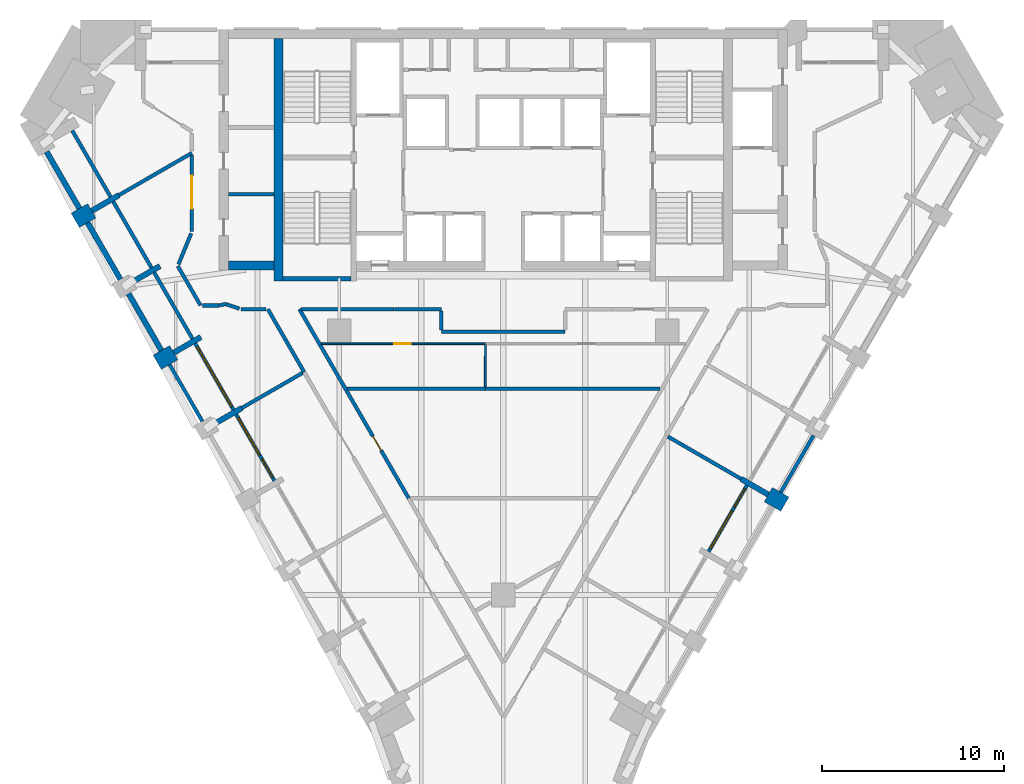
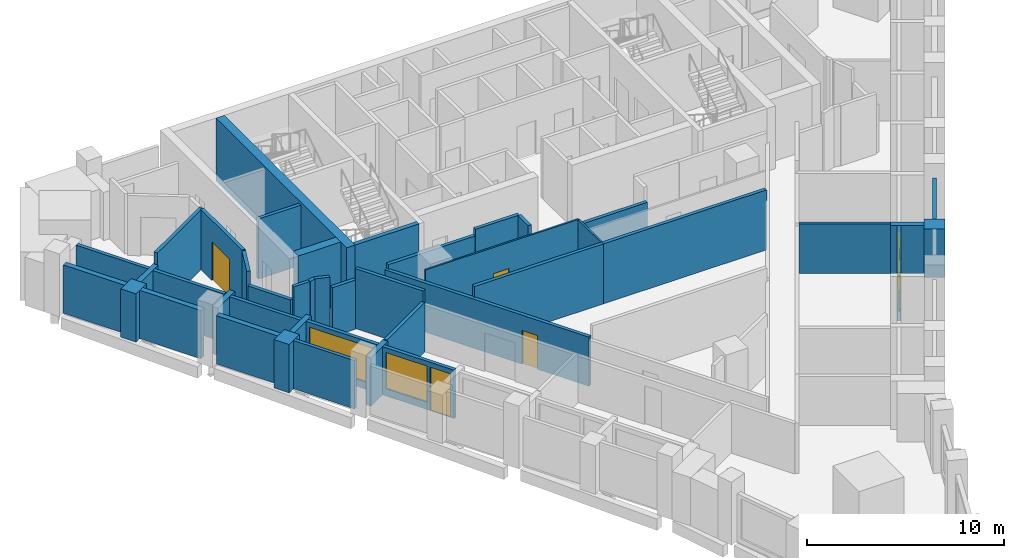
# One storey, part 4 of 10: 43 walls, 5 doors, 3 windows, 8 openings.
"""IFC4 building model written with IfcOpenShell, lengths in metres."""

from ifc_helpers import new_model, si_unit, direction, frame, frame_2d, origin, place, context, subcontext, project, spatial, polyline, rectangle, outline, extrude, material, layer, layer_set, type_object, element, fill, save


model = new_model("IFC4")

# Units and contexts
model_context = context("Model", 3, precision=1e-05, world=origin(), true_north=direction((0.0, 1.0)))
body_context = subcontext(model_context, "Body", "Model", "MODEL_VIEW")
ifc_project = project(units=[si_unit("LENGTHUNIT", "METRE"), si_unit("AREAUNIT", "SQUARE_METRE"), si_unit("VOLUMEUNIT", "CUBIC_METRE"), si_unit("PLANEANGLEUNIT", "RADIAN"), si_unit("MASSUNIT", "GRAM", prefix="KILO")], contexts=[model_context])

# Site, building, storey
site_placement = place(None, origin())
site = spatial("IfcSite", under=ifc_project, at=site_placement, CompositionType="ELEMENT")
building_placement = place(site_placement, origin())
building = spatial("IfcBuilding", under=site, at=building_placement, Name="Calabash Gate Tower", CompositionType="ELEMENT")
storey_placement = place(building_placement, frame((0.0, 0.0, 175.800048828125)))
storey = spatial("IfcBuildingStorey", under=building, at=storey_placement, Name="L41", CompositionType="ELEMENT", Elevation=175.800048828125)

# Walls
ifc_material_1 = material(Name="Terracotta brick masonry, exposed face", Category="masonry")
ifc_layer_1 = layer(ifc_material_1, 1.050048828125)
ifc_layer_set_1 = layer_set([ifc_layer_1], Name="Brick end wall 1050")
wall_type_1 = type_object("IfcWallType", Name="Brick end wall 1050", PredefinedType="SOLIDWALL", material=ifc_layer_set_1)
for number, where, z_axis, x_axis, name in (
    (1, (-23.50830078125, 8.573486328125, 0.0), (0.0, 0.0, 1.0), (0.865988129768, 0.500064554934, 0.0), "Brick pier S11 SW0.1"),
    (2, (-19.00830078125, 0.779296875, 0.0), (0.0, 0.0, 1.0), (0.866088799389, 0.499890179513, 0.0), "Brick pier S11 SW0.3"),
):
    element("IfcWall", number, at=place(storey_placement, frame(where, z_axis=z_axis, x_axis=x_axis)), inside=storey, type_object=wall_type_1, Name=name, PredefinedType="SOLIDWALL", context=body_context, shape_type="SweptSolid", body=[
        extrude(rectangle(XDim=1.050048828125, YDim=0.89990234375, at=frame_2d((0.52490234375, 0.0))), origin(), (0.0, 0.0, 1.0), 3.0),
    ])
wall_1_placement = place(storey_placement, frame((15.467529296875, -7.014892578125, 0.0), z_axis=(0.0, 0.0, 1.0), x_axis=(-0.866030680601, 0.499990860175, 0.0)))
element("IfcWall", 3, at=wall_1_placement, inside=storey, type_object=wall_type_1, Name="Brick pier S11 SE4.3", PredefinedType="SOLIDWALL", context=body_context, shape_type="SweptSolid", body=[
    extrude(rectangle(XDim=1.0498046875, YDim=0.89990234375, at=frame_2d((0.52490234375, 0.0))), origin(), (0.0, 0.0, 1.0), 3.0),
])
ifc_material_2 = material(Name="Terracotta brick masonry, exposed face", Category="masonry")
ifc_layer_2 = layer(ifc_material_2, 0.300048828125)
ifc_layer_set_2 = layer_set([ifc_layer_2], Name="Brick infill panel wall 300")
wall_type_2 = type_object("IfcWallType", Name="Brick infill panel wall 300", PredefinedType="SOLIDWALL", material=ifc_layer_set_2)
for number, where, z_axis, x_axis, name in (
    (4, (-25.07861328125, 12.343505859375, 0.0), (0.0, 0.0, 1.0), (0.500012057535, -0.866018442252, 0.0), "Brick panel S11 SW0.1"),
    (5, (-22.82861328125, 8.4462890625, 0.0), (0.0, 0.0, 1.0), (0.500012057535, -0.866018442252, 0.0), "Brick panel S11 SW0.2"),
):
    element("IfcWall", number, at=place(storey_placement, frame(where, z_axis=z_axis, x_axis=x_axis)), inside=storey, type_object=wall_type_2, Name=name, PredefinedType="SOLIDWALL", context=body_context, shape_type="SweptSolid", body=[
        extrude(rectangle(XDim=3.60009765625, YDim=0.300048828125, at=frame_2d((1.800048828125, 0.0))), origin(), (0.0, 0.0, 1.0), 3.0),
    ])
wall_2_placement = place(storey_placement, frame((-20.57861328125, 4.54931640625, 0.0), z_axis=(0.0, 0.0, 1.0), x_axis=(0.499982693035, -0.866035395735, 0.0)))
element("IfcWall", 6, at=wall_2_placement, inside=storey, type_object=wall_type_2, Name="Brick panel S11 SW0.3", PredefinedType="SOLIDWALL", context=body_context, shape_type="SweptSolid", body=[
    extrude(rectangle(XDim=3.600341796875, YDim=0.300048828125, at=frame_2d((1.80029296875, 0.0))), origin(), (0.0, 0.0, 1.0), 3.0),
])
ifc_material_3 = material(Name="Terracotta brick masonry, exposed face", Category="masonry")
ifc_layer_3 = layer(ifc_material_3, 0.300048828125)
ifc_layer_set_3 = layer_set([ifc_layer_3], Name="Brick loggia cheek wall 300")
wall_type_3 = type_object("IfcWallType", Name="Brick loggia cheek wall 300", PredefinedType="SOLIDWALL", material=ifc_layer_set_3)
wall_3_placement = place(storey_placement, frame((-21.10498046875, 9.9609375, 0.0), z_axis=(0.0, 0.0, 1.0), x_axis=(-0.866074815912, -0.499914405916, 0.0)))
element("IfcWall", 7, at=wall_3_placement, inside=storey, type_object=wall_type_3, Name="Loggia cheek S11 SW0.1", PredefinedType="SOLIDWALL", context=body_context, shape_type="SweptSolid", body=[
    extrude(rectangle(XDim=1.724853515625, YDim=0.300048828125, at=frame_2d((0.8623046875, 0.0))), origin(), (0.0, 0.0, 1.0), 3.0),
])
wall_4_placement = place(storey_placement, frame((-20.348876953125, 5.201416015625, 0.0), z_axis=(0.0, 0.0, 1.0), x_axis=(0.866013532718, 0.500020560727, 0.0)))
element("IfcWall", 8, at=wall_4_placement, inside=storey, type_object=wall_type_3, Name="Loggia cheek S11 SW0.2", PredefinedType="SOLIDWALL", context=body_context, shape_type="SweptSolid", body=[
    extrude(rectangle(XDim=1.72509765625, YDim=0.300048828125, at=frame_2d((0.862548828125, 0.0))), origin(), (0.0, 0.0, 1.0), 2.949951171875),
])
wall_5_placement = place(storey_placement, frame((-18.098876953125, 1.30419921875, 0.0), z_axis=(0.0, 0.0, 1.0), x_axis=(0.866013532718, 0.500020560727, 0.0)))
element("IfcWall", 9, at=wall_5_placement, inside=storey, type_object=wall_type_3, Name="Loggia cheek S11 SW0.3", PredefinedType="SOLIDWALL", context=body_context, shape_type="SweptSolid", body=[
    extrude(rectangle(XDim=1.72509765625, YDim=0.300048828125, at=frame_2d((0.862548828125, 0.0))), origin(), (0.0, 0.0, 1.0), 3.0),
])
wall_6_placement = place(storey_placement, frame((-15.84814453125, -2.59228515625, 0.0), z_axis=(0.0, 0.0, 1.0), x_axis=(0.866029956157, 0.499992114976, 0.0)))
element("IfcWall", 10, at=wall_6_placement, inside=storey, type_object=wall_type_3, Name="Loggia cheek S11 SW0.4", PredefinedType="SOLIDWALL", context=body_context, shape_type="SweptSolid", body=[
    extrude(rectangle(XDim=1.72412109375, YDim=0.300048828125, at=frame_2d((0.862060546875, 0.0))), origin(), (0.0, 0.0, 1.0), 3.0),
])
wall_7_placement = place(storey_placement, frame((14.558349609375, -6.489990234375, 0.0), z_axis=(0.0, 0.0, 1.0), x_axis=(-0.866013532718, 0.500020560727, 0.0)))
element("IfcWall", 11, at=wall_7_placement, inside=storey, type_object=wall_type_3, Name="Loggia cheek S11 SE4.3", PredefinedType="SOLIDWALL", context=body_context, shape_type="SweptSolid", body=[
    extrude(rectangle(XDim=1.72509765625, YDim=0.300048828125, at=frame_2d((0.862548828125, 0.0))), origin(), (0.0, 0.0, 1.0), 3.0),
])
ifc_material_4 = material(Name="Gypsum board on steel studs, mineral wool", Category="steel")
ifc_layer_4 = layer(ifc_material_4, 0.199951171875)
ifc_layer_set_4 = layer_set([ifc_layer_4], Name="Core partition 200 gypsum board")
wall_type_4 = type_object("IfcWallType", Name="Core partition 200 gypsum board", PredefinedType="PARTITIONING", material=ifc_layer_set_4)
wall_8_placement = place(storey_placement, frame((-15.10009765625, 10.0126953125, 0.0), z_axis=(0.0, 0.0, 1.0), x_axis=(1.0, 0.0, 0.0)))
element("IfcWall", 12, at=wall_8_placement, inside=storey, type_object=wall_type_4, Name="Core partition", PredefinedType="PARTITIONING", context=body_context, shape_type="SweptSolid", body=[
    extrude(rectangle(XDim=2.5, YDim=0.199951171875, at=frame_2d((1.25, 0.0))), origin(), (0.0, 0.0, 1.0), 3.72998046875),
])
ifc_material_5 = material(Name="Concrete C70/85", Category="concrete")
ifc_layer_5 = layer(ifc_material_5, 0.25)
ifc_layer_set_5 = layer_set([ifc_layer_5], Name="Core wall 250 Concrete C70/85")
wall_type_5 = type_object("IfcWallType", Name="Core wall 250 Concrete C70/85", PredefinedType="SHEAR", material=ifc_layer_set_5)
wall_9_placement = place(storey_placement, frame((-12.10009765625, 5.377685546875, 0.0), z_axis=(0.0, 0.0, 1.0), x_axis=(1.0, 0.0, 0.0)))
element("IfcWall", 13, at=wall_9_placement, inside=storey, type_object=wall_type_5, Name="Core wall Z3-SSW L41", PredefinedType="SHEAR", context=body_context, shape_type="SweptSolid", body=[
    extrude(rectangle(XDim=3.75, YDim=0.25, at=frame_2d((1.875, 0.0))), origin(), (0.0, 0.0, 1.0), 3.89990234375),
])
ifc_material_6 = material(Name="Concrete C70/85", Category="concrete")
ifc_layer_6 = layer(ifc_material_6, 0.5)
ifc_layer_set_6 = layer_set([ifc_layer_6], Name="Core wall 500 Concrete C70/85")
wall_type_6 = type_object("IfcWallType", Name="Core wall 500 Concrete C70/85", PredefinedType="SHEAR", material=ifc_layer_set_6)
wall_10_placement = place(storey_placement, frame((-12.35009765625, 5.252685546875, 0.0), z_axis=(0.0, 0.0, 1.0), x_axis=(0.0, 1.0, 0.0)))
element("IfcWall", 14, at=wall_10_placement, inside=storey, type_object=wall_type_6, Name="Core wall Z3-COLW L41", PredefinedType="SHEAR", context=body_context, shape_type="SweptSolid", body=[
    extrude(rectangle(XDim=13.2998046875, YDim=0.5, at=frame_2d((6.64990234375, 0.0))), origin(), (0.0, 0.0, 1.0), 3.89990234375),
])
wall_11_placement = place(storey_placement, frame((-12.60009765625, 6.1025390625, 0.0), z_axis=(0.0, 0.0, 1.0), x_axis=(-1.0, 0.0, 0.0)))
element("IfcWall", 15, at=wall_11_placement, inside=storey, type_object=wall_type_6, Name="Core wall Z3-SW L41", PredefinedType="SHEAR", context=body_context, shape_type="SweptSolid", body=[
    extrude(rectangle(XDim=2.5, YDim=0.5, at=frame_2d((1.25, 0.0))), origin(), (0.0, 0.0, 1.0), 3.89990234375),
])
ifc_material_7 = material(Name="Gypsum board on steel studs, mineral wool", Category="steel")
ifc_layer_7 = layer(ifc_material_7, 0.10009765625)
ifc_layer_set_7 = layer_set([ifc_layer_7], Name="Partition 100 gypsum board")
wall_type_7 = type_object("IfcWallType", Name="Partition 100 gypsum board", PredefinedType="PARTITIONING", material=ifc_layer_set_7)
wall_12_placement = place(storey_placement, frame((-0.98193359375, -0.56689453125, 0.0), z_axis=(0.0, 0.0, 1.0), x_axis=(0.000738240676, 0.9999997275, 0.0)))
element("IfcWall", 16, at=wall_12_placement, inside=storey, type_object=wall_type_7, Name="Partition", PredefinedType="PARTITIONING", context=body_context, shape_type="SweptSolid", body=[
    extrude(rectangle(XDim=2.31494140625, YDim=0.10009765625, at=frame_2d((1.157470703125, 0.0))), origin(), (0.0, 0.0, 1.0), 3.72998046875),
])

# Wall, opening, door
wall_13_placement = place(storey_placement, frame((-10.0, 1.7998046875, 0.0), z_axis=(0.0, 0.0, 1.0), x_axis=(0.999999982043, -0.000189511868, 0.0)))
wall_13 = element("IfcWall", 17, at=wall_13_placement, inside=storey, type_object=wall_type_7, Name="Partition", PredefinedType="PARTITIONING", context=body_context, shape_type="SweptSolid", body=[
    extrude(rectangle(XDim=9.017822265625, YDim=0.10009765625, at=frame_2d((4.5087890625, 0.0))), origin(), (0.0, 0.0, 1.0), 3.72998046875),
])
opening_1_placement = place(wall_13_placement, frame((4.0087890625, 0.0, 0.0)))
opening_1 = element("IfcOpeningElement", 18, at=opening_1_placement, cuts=wall_13, Name="Opening 39-41-015", PredefinedType="OPENING", context=body_context, shape_type="SweptSolid", body=[
    extrude(rectangle(XDim=0.89990234375, YDim=2.10009765625, at=frame_2d((0.449951171875, 1.050048828125))), frame((0.0, 0.06005859375, 0.0), z_axis=(0.0, -1.0, 0.0), x_axis=(1.0, 0.0, 0.0)), (0.0, 0.0, 1.0), 0.1201171875),
])
ifc_material_8 = material(Name="Painted timber door", Category="wood")
door_type_1 = type_object("IfcDoorType", Name="WD1 WC door 900x2100", OperationType="NOTDEFINED", PredefinedType="DOOR", material=ifc_material_8)
door_1_placement = place(opening_1_placement, origin())
door_1 = element("IfcDoor", 19, at=door_1_placement, inside=storey, type_object=door_type_1, Name="WC door", OperationType="SINGLE_SWING_RIGHT", OverallHeight=2.10009765625, OverallWidth=0.89990234375, PredefinedType="DOOR", context=body_context, shape_type="SweptSolid", body=[
    extrude(rectangle(XDim=0.89990234375, YDim=2.10009765625, at=frame_2d((0.449951171875, 1.050048828125))), frame((0.0, 0.02490234375, 0.0), z_axis=(0.0, -1.0, 0.0), x_axis=(1.0, 0.0, 0.0)), (0.0, 0.0, 1.0), 0.050048828125),
])
fill(opening_1, door_1)

# Walls
ifc_material_9 = material(Name="Gypsum board on steel studs, mineral wool", Category="steel")
ifc_layer_8 = layer(ifc_material_9, 0.199951171875)
ifc_layer_set_8 = layer_set([ifc_layer_8], Name="Partition 200 gypsum board EI 60")
wall_type_8 = type_object("IfcWallType", Name="Partition 200 gypsum board EI 60", PredefinedType="PARTITIONING", material=ifc_layer_set_8)
wall_14_placement = place(storey_placement, frame((9.0400390625, -3.3017578125, 0.0), z_axis=(0.0, 0.0, 1.0), x_axis=(0.865844341998, -0.500313477162, 0.0)))
element("IfcWall", 20, at=wall_14_placement, inside=storey, type_object=wall_type_8, Name="Partition", PredefinedType="PARTITIONING", context=body_context, shape_type="SweptSolid", body=[
    extrude(rectangle(XDim=4.64794921875, YDim=0.199951171875, at=frame_2d((2.323974609375, 0.0))), origin(), (0.0, 0.0, 1.0), 3.0517578125),
])
wall_15_placement = place(storey_placement, frame((-14.355224609375, -1.72998046875, 0.0), z_axis=(0.0, 0.0, 1.0), x_axis=(0.865832714873, 0.500333598567, 0.0)))
element("IfcWall", 21, at=wall_15_placement, inside=storey, type_object=wall_type_8, Name="Partition", PredefinedType="PARTITIONING", context=body_context, shape_type="SweptSolid", body=[
    extrude(rectangle(XDim=3.849365234375, YDim=0.199951171875, at=frame_2d((1.9248046875, 0.0))), origin(), (0.0, 0.0, 1.0), 3.0517578125),
])
wall_16_placement = place(storey_placement, frame((-8.57470703125, -0.665283203125, 0.0), z_axis=(0.0, 0.0, 1.0), x_axis=(0.999999999483, 3.2155375e-05, 0.0)))
element("IfcWall", 22, at=wall_16_placement, inside=storey, type_object=wall_type_8, Name="Partition", PredefinedType="PARTITIONING", context=body_context, shape_type="SweptSolid", body=[
    extrude(rectangle(XDim=7.592529296875, YDim=0.199951171875, at=frame_2d((3.79638671875, 0.0))), origin(), (0.0, 0.0, 1.0), 3.72998046875),
])
wall_17_placement = place(storey_placement, frame((-0.98193359375, -0.666748046875, 0.0), z_axis=(0.0, 0.0, 1.0), x_axis=(0.999999988339, 0.000152714498, 0.0)))
element("IfcWall", 23, at=wall_17_placement, inside=storey, type_object=wall_type_8, Name="Partition", PredefinedType="PARTITIONING", context=body_context, shape_type="SweptSolid", body=[
    extrude(rectangle(XDim=9.592041015625, YDim=0.199951171875, at=frame_2d((4.7958984375, 0.0))), origin(), (0.0, 0.0, 1.0), 3.72998046875),
])
wall_18_placement = place(storey_placement, frame((-12.929443359375, 3.699462890625, 0.0), z_axis=(0.0, 0.0, 1.0), x_axis=(0.499667701935, -0.866217171177, 0.0)))
element("IfcWall", 24, at=wall_18_placement, inside=storey, type_object=wall_type_8, Name="Partition", PredefinedType="PARTITIONING", context=body_context, shape_type="SweptSolid", body=[
    extrude(rectangle(XDim=3.989013671875, YDim=0.199951171875, at=frame_2d((1.99462890625, 0.0))), origin(), (0.0, 0.0, 1.0), 3.72998046875),
])
wall_19_placement = place(storey_placement, frame((-3.39990234375, 2.452392578125, 0.0), z_axis=(0.0, 0.0, 1.0), x_axis=(1.0, 0.0, 0.0)))
element("IfcWall", 25, at=wall_19_placement, inside=storey, type_object=wall_type_8, Name="Partition", PredefinedType="PARTITIONING", context=body_context, shape_type="SweptSolid", body=[
    extrude(rectangle(XDim=6.7998046875, YDim=0.199951171875, at=frame_2d((3.39990234375, 0.0))), origin(), (0.0, 0.0, 1.0), 2.884033203125),
])
wall_20_placement = place(storey_placement, frame((-3.40185546875, 3.598388671875, 0.0), z_axis=(0.0, 0.0, 1.0), x_axis=(0.001633984747, -0.999998665046, 0.0)))
element("IfcWall", 26, at=wall_20_placement, inside=storey, type_object=wall_type_8, Name="Partition", PredefinedType="PARTITIONING", context=body_context, shape_type="SweptSolid", body=[
    extrude(rectangle(XDim=1.0458984375, YDim=0.199951171875, at=frame_2d((0.52294921875, 0.0))), origin(), (0.0, 0.0, 1.0), 3.72998046875),
])
wall_21_placement = place(storey_placement, frame((-14.400146484375, 3.699462890625, 0.0), z_axis=(0.0, 0.0, 1.0), x_axis=(1.0, 0.0, 0.0)))
element("IfcWall", 27, at=wall_21_placement, inside=storey, type_object=wall_type_8, Name="Partition", PredefinedType="PARTITIONING", context=body_context, shape_type="SweptSolid", body=[
    extrude(rectangle(XDim=1.37060546875, YDim=0.199951171875, at=frame_2d((0.685302734375, 0.0))), origin(), (0.0, 0.0, 1.0), 3.0517578125),
])

# Wall, opening, door
wall_22_placement = place(storey_placement, frame((-11.197998046875, 3.69921875, 0.0), z_axis=(0.0, 0.0, 1.0), x_axis=(0.500539648856, -0.865713613109, 0.0)))
wall_22 = element("IfcWall", 28, at=wall_22_placement, inside=storey, type_object=wall_type_8, Name="Partition", PredefinedType="PARTITIONING", context=body_context, shape_type="SweptSolid", body=[
    extrude(rectangle(XDim=11.997314453125, YDim=0.199951171875, at=frame_2d((5.99853515625, 0.0))), origin(), (0.0, 0.0, 1.0), 3.0517578125),
])
opening_2_placement = place(wall_22_placement, frame((8.069580078125, 0.0, 0.0)))
opening_2 = element("IfcOpeningElement", 29, at=opening_2_placement, cuts=wall_22, Name="Opening 39-41-008", PredefinedType="OPENING", context=body_context, shape_type="SweptSolid", body=[
    extrude(rectangle(XDim=0.89990234375, YDim=2.10009765625, at=frame_2d((0.449951171875, 1.050048828125))), frame((0.0, 0.10986328125, 0.0), z_axis=(0.0, -1.0, 0.0), x_axis=(1.0, 0.0, 0.0)), (0.0, 0.0, 1.0), 0.219970703125),
])
ifc_material_10 = material(Name="Steel fire door set with fire-resisting glazing", Category="steel")
door_type_2 = type_object("IfcDoorType", Name="SD3 Store door 900x2100", OperationType="NOTDEFINED", PredefinedType="DOOR", material=ifc_material_10)
door_2_placement = place(opening_2_placement, origin())
door_2 = element("IfcDoor", 30, at=door_2_placement, inside=storey, type_object=door_type_2, Name="Store door", OperationType="SINGLE_SWING_RIGHT", OverallHeight=2.10009765625, OverallWidth=0.89990234375, PredefinedType="DOOR", context=body_context, shape_type="SweptSolid", body=[
    extrude(rectangle(XDim=0.89990234375, YDim=2.10009765625, at=frame_2d((0.449951171875, 1.050048828125))), frame((0.0, 0.02490234375, 0.0), z_axis=(0.0, -1.0, 0.0), x_axis=(1.0, 0.0, 0.0)), (0.0, 0.0, 1.0), 0.050048828125),
])
fill(opening_2, door_2)

# Walls
wall_23_placement = place(storey_placement, frame((-11.0966796875, 3.69970703125, 0.0), z_axis=(0.0, 0.0, 1.0), x_axis=(1.0, 0.0, 0.0)))
element("IfcWall", 31, at=wall_23_placement, inside=storey, type_object=wall_type_8, Name="Partition", PredefinedType="PARTITIONING", context=body_context, shape_type="SweptSolid", body=[
    extrude(rectangle(XDim=5.0966796875, YDim=0.199951171875, at=frame_2d((2.54833984375, 0.0))), origin(), (0.0, 0.0, 1.0), 3.33154296875),
])
wall_24_placement = place(storey_placement, frame((-5.986328125, 3.699951171875, 0.0), z_axis=(0.0, 0.0, 1.0), x_axis=(0.999999839346, -0.000566839777, 0.0)))
element("IfcWall", 32, at=wall_24_placement, inside=storey, type_object=wall_type_8, Name="Partition", PredefinedType="PARTITIONING", context=body_context, shape_type="SweptSolid", body=[
    extrude(rectangle(XDim=2.584228515625, YDim=0.199951171875, at=frame_2d((1.2919921875, 0.0))), origin(), (0.0, 0.0, 1.0), 3.72998046875),
])
wall_25_placement = place(storey_placement, frame((-15.24560546875, 3.9814453125, 0.0), z_axis=(0.0, 0.0, 1.0), x_axis=(0.948683298051, -0.316227766017, 0.0)))
element("IfcWall", 33, at=wall_25_placement, inside=storey, type_object=wall_type_8, Name="Partition", PredefinedType="PARTITIONING", context=body_context, shape_type="SweptSolid", body=[
    extrude(rectangle(XDim=0.791259765625, YDim=0.199951171875, at=frame_2d((0.3955078125, 0.0))), origin(), (0.0, 0.0, 1.0), 3.72998046875),
])
wall_26_placement = place(storey_placement, frame((-17.87646484375, 6.068115234375, 0.0), z_axis=(0.0, 0.0, 1.0), x_axis=(0.499998165157, -0.866026463129, 0.0)))
element("IfcWall", 34, at=wall_26_placement, inside=storey, type_object=wall_type_8, Name="Partition", PredefinedType="PARTITIONING", context=body_context, shape_type="SweptSolid", body=[
    extrude(rectangle(XDim=2.50390625, YDim=0.199951171875, at=frame_2d((1.251953125, 0.0))), origin(), (0.0, 0.0, 1.0), 2.949951171875),
])
wall_27_placement = place(storey_placement, frame((-16.5244140625, 3.899658203125, 0.0), z_axis=(0.0, 0.0, 1.0), x_axis=(0.999999965136, -0.000264061253, 0.0)))
element("IfcWall", 35, at=wall_27_placement, inside=storey, type_object=wall_type_8, Name="Partition", PredefinedType="PARTITIONING", context=body_context, shape_type="SweptSolid", body=[
    extrude(rectangle(XDim=0.924560546875, YDim=0.199951171875, at=frame_2d((0.46240234375, 0.0))), origin(), (0.0, 0.0, 1.0), 3.72998046875),
])
wall_28_placement = place(storey_placement, frame((-15.599853515625, 3.8994140625, 0.0), z_axis=(0.0, 0.0, 1.0), x_axis=(0.974221178676, 0.225594980038, 0.0)))
element("IfcWall", 36, at=wall_28_placement, inside=storey, type_object=wall_type_8, Name="Partition", PredefinedType="PARTITIONING", context=body_context, shape_type="SweptSolid", body=[
    extrude(rectangle(XDim=0.363525390625, YDim=0.199951171875, at=frame_2d((0.181640625, 0.0))), origin(), (0.0, 0.0, 1.0), 3.72998046875),
])
wall_29_placement = place(storey_placement, frame((-17.83837890625, 6.16064453125, 0.0), z_axis=(0.0, 0.0, 1.0), x_axis=(0.380716398764, 0.924691853383, 0.0)))
element("IfcWall", 37, at=wall_29_placement, inside=storey, type_object=wall_type_8, Name="Partition", PredefinedType="PARTITIONING", context=body_context, shape_type="SweptSolid", body=[
    extrude(rectangle(XDim=1.837890625, YDim=0.199951171875, at=frame_2d((0.9189453125, 0.0))), origin(), (0.0, 0.0, 1.0), 3.72998046875),
])

# Wall, opening, door
wall_30_placement = place(storey_placement, frame((-17.10205078125, 12.172119140625, 0.0), z_axis=(0.0, 0.0, 1.0), x_axis=(0.00034716193, -0.999999939739, 0.0)))
wall_30 = element("IfcWall", 38, at=wall_30_placement, inside=storey, type_object=wall_type_8, Name="Partition", PredefinedType="PARTITIONING", context=body_context, shape_type="SweptSolid", body=[
    extrude(rectangle(XDim=4.219482421875, YDim=0.199951171875, at=frame_2d((2.10986328125, 0.0))), origin(), (0.0, 0.0, 1.0), 3.72998046875),
])
opening_3_placement = place(wall_30_placement, frame((1.1591796875, 0.0, 0.0)))
opening_3 = element("IfcOpeningElement", 39, at=opening_3_placement, cuts=wall_30, Name="Opening 39-41-009", PredefinedType="OPENING", context=body_context, shape_type="SweptSolid", body=[
    extrude(rectangle(XDim=1.800048828125, YDim=2.39990234375, at=frame_2d((0.89990234375, 1.199951171875))), frame((0.0, 0.10986328125, 0.0), z_axis=(0.0, -1.0, 0.0), x_axis=(1.0, 0.0, 0.0)), (0.0, 0.0, 1.0), 0.219970703125),
])
ifc_material_11 = material(Name="Steel fire door set with fire-resisting glazing", Category="steel")
door_type_3 = type_object("IfcDoorType", Name="TD1 Tenancy entrance double door 1800x2400", OperationType="NOTDEFINED", PredefinedType="DOOR", material=ifc_material_11)
door_3_placement = place(opening_3_placement, origin())
door_3 = element("IfcDoor", 40, at=door_3_placement, inside=storey, type_object=door_type_3, Name="Tenancy entrance double door", OperationType="DOUBLE_DOOR_SINGLE_SWING", OverallHeight=2.39990234375, OverallWidth=1.800048828125, PredefinedType="DOOR", context=body_context, shape_type="SweptSolid", body=[
    extrude(rectangle(XDim=1.800048828125, YDim=2.39990234375, at=frame_2d((0.89990234375, 1.199951171875))), frame((0.0, 0.02490234375, 0.0), z_axis=(0.0, -1.0, 0.0), x_axis=(1.0, 0.0, 0.0)), (0.0, 0.0, 1.0), 0.050048828125),
])
fill(opening_3, door_3)

# Walls
wall_31_placement = place(storey_placement, frame((-21.105224609375, 9.961181640625, 0.0), z_axis=(0.0, 0.0, 1.0), x_axis=(0.8658488129, 0.500305739723, 0.0)))
element("IfcWall", 41, at=wall_31_placement, inside=storey, type_object=wall_type_8, Name="Partition", PredefinedType="PARTITIONING", context=body_context, shape_type="SweptSolid", body=[
    extrude(rectangle(XDim=4.625, YDim=0.199951171875, at=frame_2d((2.3125, 0.0))), origin(), (0.0, 0.0, 1.0), 3.72998046875),
])
ifc_material_12 = material(Name="Terracotta brick masonry, perforated", Category="masonry")
ifc_layer_9 = layer(ifc_material_12, 0.199951171875)
ifc_layer_set_9 = layer_set([ifc_layer_9], Name="Terracotta jaali screen A")
wall_type_9 = type_object("IfcWallType", Name="Terracotta jaali screen A", PredefinedType="SOLIDWALL", material=ifc_layer_set_9)
wall_32_placement = place(storey_placement, origin())
element("IfcWall", 42, at=wall_32_placement, inside=storey, type_object=wall_type_9, Name="SCREEN A S11 SW0.4", PredefinedType="SOLIDWALL", context=body_context, shape_type="SweptSolid", body=[
    extrude(outline(polyline([(-18.415283203125, 0.60205078125), (-16.616455078125, -2.513671875), (-16.443115234375, -2.413818359375), (-18.241943359375, 0.7021484375), (-18.415283203125, 0.60205078125)])), origin(), (0.0, 0.0, 1.0), 3.0),
])
wall_33_placement = place(storey_placement, frame((15.238037109375, -6.36279296875, 0.0), z_axis=(0.0, 0.0, 1.0), x_axis=(0.500012057535, 0.866018442252, 0.0)))
element("IfcWall", 43, at=wall_33_placement, inside=storey, type_object=wall_type_9, Name="SCREEN A S11 SE4.4", PredefinedType="SOLIDWALL", context=body_context, shape_type="SweptSolid", body=[
    extrude(rectangle(XDim=3.60009765625, YDim=0.199951171875, at=frame_2d((1.800048828125, 0.0))), origin(), (0.0, 0.0, 1.0), 3.0),
])
ifc_material_13 = material(Name="Aluminium framed window wall with insulated spandrel", Category="aluminium")
ifc_layer_10 = layer(ifc_material_13, 0.199951171875)
ifc_layer_set_10 = layer_set([ifc_layer_10], Name="Window wall 200")
wall_type_10 = type_object("IfcWallType", Name="Window wall 200", PredefinedType="ELEMENTEDWALL", material=ifc_layer_set_10)
wall_34_placement = place(storey_placement, frame((-23.669921875, 13.503173828125, 0.0), z_axis=(0.0, 0.0, 1.0), x_axis=(0.500027713859, -0.866009402589, 0.0)))
element("IfcWall", 44, at=wall_34_placement, inside=storey, type_object=wall_type_10, Name="Window wall S11 SW0.1", PredefinedType="ELEMENTEDWALL", context=body_context, shape_type="SweptSolid", body=[
    extrude(rectangle(XDim=4.199951171875, YDim=0.199951171875, at=frame_2d((2.10009765625, 0.0))), origin(), (0.0, 0.0, 1.0), 3.0),
])
wall_35_placement = place(storey_placement, frame((-21.419921875, 9.606201171875, 0.0), z_axis=(0.0, 0.0, 1.0), x_axis=(0.500002543286, -0.866023935413, 0.0)))
element("IfcWall", 45, at=wall_35_placement, inside=storey, type_object=wall_type_10, Name="Window wall S11 SW0.2", PredefinedType="ELEMENTEDWALL", context=body_context, shape_type="SweptSolid", body=[
    extrude(rectangle(XDim=4.2001953125, YDim=0.199951171875, at=frame_2d((2.10009765625, 0.0))), origin(), (0.0, 0.0, 1.0), 3.0),
])
wall_36_placement = place(storey_placement, frame((-19.169921875, 5.708984375, 0.0), z_axis=(0.0, 0.0, 1.0), x_axis=(0.500027713859, -0.866009402589, 0.0)))
element("IfcWall", 46, at=wall_36_placement, inside=storey, type_object=wall_type_10, Name="Window wall S11 SW0.3", PredefinedType="ELEMENTEDWALL", context=body_context, shape_type="SweptSolid", body=[
    extrude(rectangle(XDim=4.199951171875, YDim=0.199951171875, at=frame_2d((2.10009765625, 0.0))), origin(), (0.0, 0.0, 1.0), 2.949951171875),
])

# Wall, opening, window
wall_37_placement = place(storey_placement, frame((-16.919921875, 1.81201171875, 0.0), z_axis=(0.0, 0.0, 1.0), x_axis=(0.500002543286, -0.866023935413, 0.0)))
wall_37 = element("IfcWall", 47, at=wall_37_placement, inside=storey, type_object=wall_type_10, Name="Window wall S11 SW0.4", PredefinedType="ELEMENTEDWALL", context=body_context, shape_type="SweptSolid", body=[
    extrude(rectangle(XDim=4.2001953125, YDim=0.199951171875, at=frame_2d((2.10009765625, 0.0))), origin(), (0.0, 0.0, 1.0), 3.0),
])
opening_4_placement = place(wall_37_placement, frame((0.199951171875, 0.0, 0.449951171875)))
opening_4 = element("IfcOpeningElement", 48, at=opening_4_placement, cuts=wall_37, Name="Opening OW2", PredefinedType="OPENING", context=body_context, shape_type="SweptSolid", body=[
    extrude(rectangle(XDim=3.800048828125, YDim=2.25, at=frame_2d((1.89990234375, 1.125))), frame((0.0, 0.10986328125, 0.0), z_axis=(0.0, -1.0, 0.0), x_axis=(1.0, 0.0, 0.0)), (0.0, 0.0, 1.0), 0.219970703125),
])
ifc_material_14 = material(Name="Anodised aluminium frame, bronze finish, impact-rated laminated clear glazing", Category="aluminium")
window_type_1 = type_object("IfcWindowType", Name="Window OW2 3800x2250", PartitioningType="TRIPLE_PANEL_VERTICAL", PredefinedType="WINDOW", material=ifc_material_14)
window_1_placement = place(opening_4_placement, origin())
window_1 = element("IfcWindow", 49, at=window_1_placement, inside=storey, type_object=window_type_1, Name="Window OW2 S11 SW0.4", OverallHeight=2.25, OverallWidth=3.800048828125, PartitioningType="SINGLE_PANEL", PredefinedType="WINDOW", context=body_context, shape_type="SweptSolid", body=[
    extrude(rectangle(XDim=3.800048828125, YDim=2.25, at=frame_2d((1.89990234375, 1.125))), frame((0.0, 0.030029296875, 0.0), z_axis=(0.0, -1.0, 0.0), x_axis=(1.0, 0.0, 0.0)), (0.0, 0.0, 1.0), 0.06005859375),
])
fill(opening_4, window_1)

# Wall, openings, door, window
wall_38_placement = place(storey_placement, frame((-14.669921875, -2.085205078125, 0.0), z_axis=(0.0, 0.0, 1.0), x_axis=(0.500027713859, -0.866009402589, 0.0)))
wall_38 = element("IfcWall", 50, at=wall_38_placement, inside=storey, type_object=wall_type_10, Name="Window wall S11 SW0.5", PredefinedType="ELEMENTEDWALL", context=body_context, shape_type="SweptSolid", body=[
    extrude(rectangle(XDim=4.199951171875, YDim=0.199951171875, at=frame_2d((2.10009765625, 0.0))), origin(), (0.0, 0.0, 1.0), 3.0),
])
opening_5_placement = place(wall_38_placement, frame((0.199951171875, 0.0, 0.449951171875)))
opening_5 = element("IfcOpeningElement", 51, at=opening_5_placement, cuts=wall_38, Name="Opening OW1", PredefinedType="OPENING", context=body_context, shape_type="SweptSolid", body=[
    extrude(rectangle(XDim=2.39990234375, YDim=2.25, at=frame_2d((1.199951171875, 1.125))), frame((0.0, 0.10986328125, 0.0), z_axis=(0.0, -1.0, 0.0), x_axis=(1.0, 0.0, 0.0)), (0.0, 0.0, 1.0), 0.219970703125),
])
opening_6_placement = place(wall_38_placement, frame((2.800048828125, 0.0, 0.0)))
opening_6 = element("IfcOpeningElement", 52, at=opening_6_placement, cuts=wall_38, Name="Opening O3-026", PredefinedType="OPENING", context=body_context, shape_type="SweptSolid", body=[
    extrude(rectangle(XDim=1.199951171875, YDim=2.699951171875, at=frame_2d((0.60009765625, 1.35009765625))), frame((0.0, 0.10986328125, 0.0), z_axis=(0.0, -1.0, 0.0), x_axis=(1.0, 0.0, 0.0)), (0.0, 0.0, 1.0), 0.219970703125),
])
ifc_material_15 = material(Name="Anodised aluminium frame, bronze finish, impact-rated laminated clear glazing", Category="aluminium")
door_type_4 = type_object("IfcDoorType", Name="Loggia door DO1 1200x2700", OperationType="SLIDING_TO_LEFT", PredefinedType="DOOR", material=ifc_material_15)
door_4_placement = place(opening_6_placement, origin())
door_4 = element("IfcDoor", 53, at=door_4_placement, inside=storey, type_object=door_type_4, Name="Loggia door S11 SW0.5", OperationType="SINGLE_SWING_LEFT", OverallHeight=2.699951171875, OverallWidth=1.199951171875, PredefinedType="DOOR", context=body_context, shape_type="SweptSolid", body=[
    extrude(rectangle(XDim=1.199951171875, YDim=2.699951171875, at=frame_2d((0.60009765625, 1.35009765625))), frame((0.0, 0.02490234375, 0.0), z_axis=(0.0, -1.0, 0.0), x_axis=(1.0, 0.0, 0.0)), (0.0, 0.0, 1.0), 0.050048828125),
])
fill(opening_6, door_4)
ifc_material_16 = material(Name="Anodised aluminium frame, bronze finish, impact-rated laminated clear glazing", Category="aluminium")
window_type_2 = type_object("IfcWindowType", Name="Window OW1 2400x2250", PartitioningType="DOUBLE_PANEL_VERTICAL", PredefinedType="WINDOW", material=ifc_material_16)
window_2_placement = place(opening_5_placement, origin())
window_2 = element("IfcWindow", 54, at=window_2_placement, inside=storey, type_object=window_type_2, Name="Window OW1 S11 SW0.5", OverallHeight=2.25, OverallWidth=2.39990234375, PartitioningType="SINGLE_PANEL", PredefinedType="WINDOW", context=body_context, shape_type="SweptSolid", body=[
    extrude(rectangle(XDim=2.39990234375, YDim=2.25, at=frame_2d((1.199951171875, 1.125))), frame((0.0, 0.030029296875, 0.0), z_axis=(0.0, -1.0, 0.0), x_axis=(1.0, 0.0, 0.0)), (0.0, 0.0, 1.0), 0.06005859375),
])
fill(opening_5, window_2)

wall_39_placement = place(storey_placement, frame((11.279052734375, -9.61962890625, 0.0), z_axis=(0.0, 0.0, 1.0), x_axis=(0.500027713859, 0.866009402589, 0.0)))
wall_39 = element("IfcWall", 55, at=wall_39_placement, inside=storey, type_object=wall_type_10, Name="Window wall S11 SE4.3", PredefinedType="ELEMENTEDWALL", context=body_context, shape_type="SweptSolid", body=[
    extrude(rectangle(XDim=4.199951171875, YDim=0.199951171875, at=frame_2d((2.10009765625, 0.0))), origin(), (0.0, 0.0, 1.0), 3.0),
])
opening_7_placement = place(wall_39_placement, frame((0.199951171875, 0.0, 0.449951171875)))
opening_7 = element("IfcOpeningElement", 56, at=opening_7_placement, cuts=wall_39, Name="Opening OW1", PredefinedType="OPENING", context=body_context, shape_type="SweptSolid", body=[
    extrude(rectangle(XDim=2.39990234375, YDim=2.25, at=frame_2d((1.199951171875, 1.125))), frame((0.0, 0.10986328125, 0.0), z_axis=(0.0, -1.0, 0.0), x_axis=(1.0, 0.0, 0.0)), (0.0, 0.0, 1.0), 0.219970703125),
])
opening_8_placement = place(wall_39_placement, frame((2.800048828125, 0.0, 0.0)))
opening_8 = element("IfcOpeningElement", 57, at=opening_8_placement, cuts=wall_39, Name="Opening O3-024", PredefinedType="OPENING", context=body_context, shape_type="SweptSolid", body=[
    extrude(rectangle(XDim=1.199951171875, YDim=2.699951171875, at=frame_2d((0.60009765625, 1.35009765625))), frame((0.0, 0.10986328125, 0.0), z_axis=(0.0, -1.0, 0.0), x_axis=(1.0, 0.0, 0.0)), (0.0, 0.0, 1.0), 0.219970703125),
])
door_5_placement = place(opening_8_placement, origin())
door_5 = element("IfcDoor", 58, at=door_5_placement, inside=storey, type_object=door_type_4, Name="Loggia door S11 SE4.3", OperationType="SINGLE_SWING_LEFT", OverallHeight=2.699951171875, OverallWidth=1.199951171875, PredefinedType="DOOR", context=body_context, shape_type="SweptSolid", body=[
    extrude(rectangle(XDim=1.199951171875, YDim=2.699951171875, at=frame_2d((0.60009765625, 1.35009765625))), frame((0.0, 0.02490234375, 0.0), z_axis=(0.0, -1.0, 0.0), x_axis=(1.0, 0.0, 0.0)), (0.0, 0.0, 1.0), 0.050048828125),
])
fill(opening_8, door_5)
window_3_placement = place(opening_7_placement, origin())
window_3 = element("IfcWindow", 59, at=window_3_placement, inside=storey, type_object=window_type_2, Name="Window OW1 S11 SE4.3", OverallHeight=2.25, OverallWidth=2.39990234375, PartitioningType="SINGLE_PANEL", PredefinedType="WINDOW", context=body_context, shape_type="SweptSolid", body=[
    extrude(rectangle(XDim=2.39990234375, YDim=2.25, at=frame_2d((1.199951171875, 1.125))), frame((0.0, 0.030029296875, 0.0), z_axis=(0.0, -1.0, 0.0), x_axis=(1.0, 0.0, 0.0)), (0.0, 0.0, 1.0), 0.06005859375),
])
fill(opening_7, window_3)

save(model, "model.ifc")
